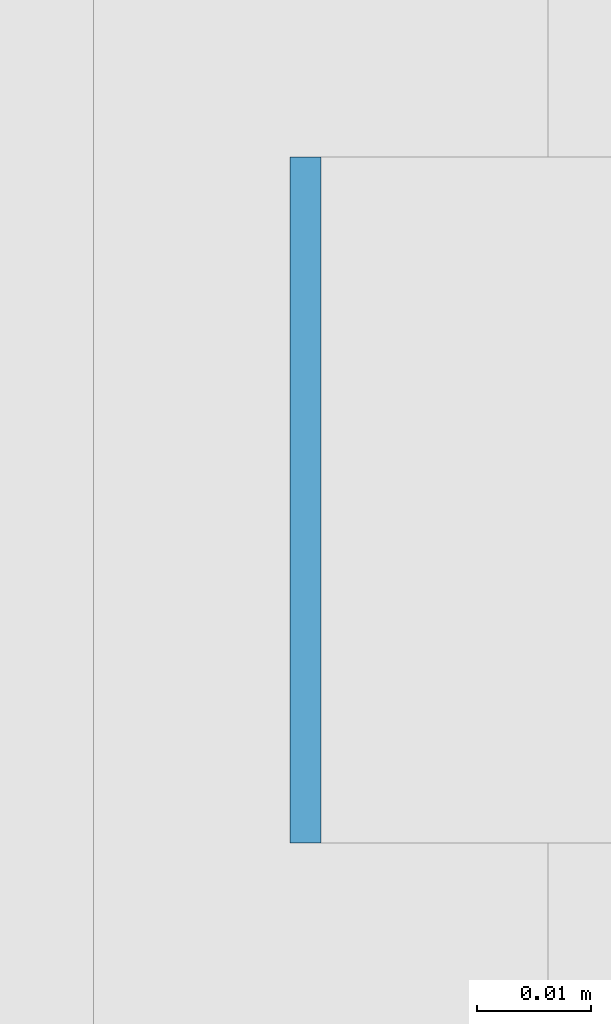
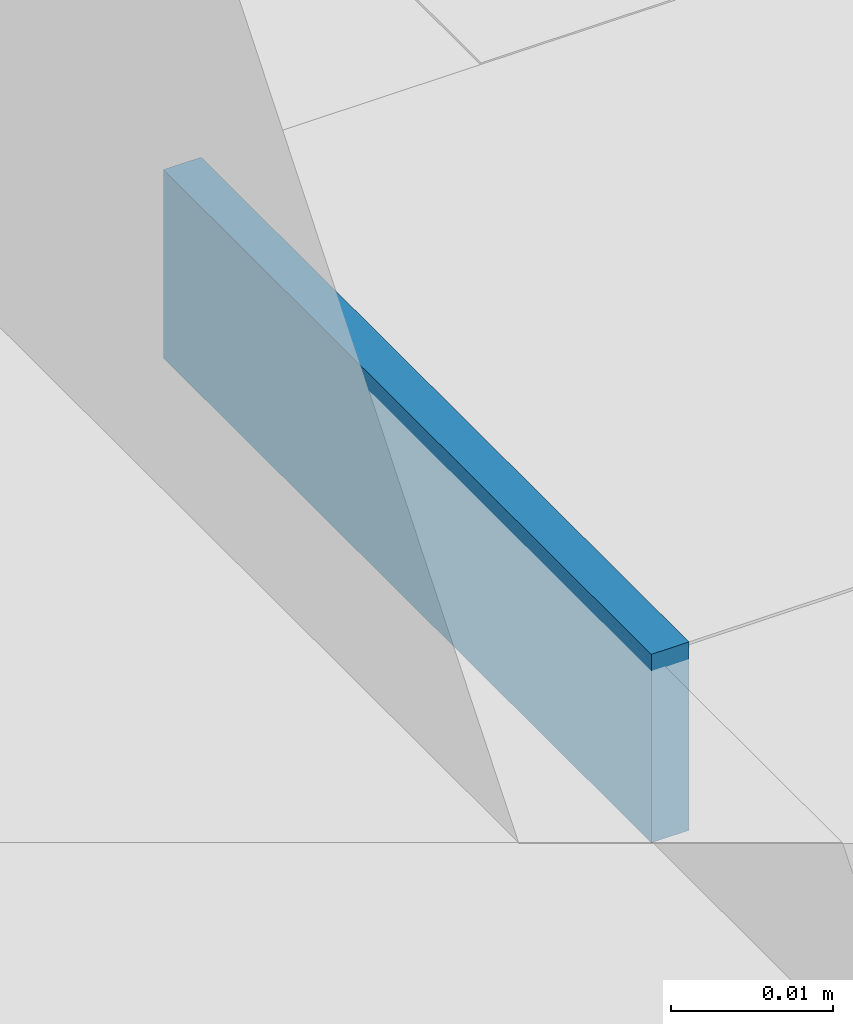
# One storey, part 485 of 646: 1 discrete accessory.
"""IFC4 building model written with IfcOpenShell, lengths in metres."""

from ifc_helpers import new_model, si_unit, direction, frame, origin, origin_2d, place, context, subcontext, project, spatial, rectangle, extrude, material, type_object, element, save


model = new_model("IFC4")

# Units and contexts
model_context = context("Model", 3, precision=1e-05, world=origin(), true_north=direction((0.0, 1.0)))
body_context = subcontext(model_context, "Body", "Model", "MODEL_VIEW")
ifc_project = project(units=[si_unit("LENGTHUNIT", "METRE"), si_unit("AREAUNIT", "SQUARE_METRE"), si_unit("VOLUMEUNIT", "CUBIC_METRE"), si_unit("PLANEANGLEUNIT", "RADIAN"), si_unit("MASSUNIT", "GRAM", prefix="KILO")], contexts=[model_context])

# Site, building, storey
site_placement = place(None, origin())
site = spatial("IfcSite", under=ifc_project, at=site_placement, CompositionType="ELEMENT")
building_placement = place(site_placement, origin())
building = spatial("IfcBuilding", under=site, at=building_placement, Name="Silverbay Arena", CompositionType="ELEMENT")
storey_placement = place(building_placement, frame((0.0, 0.0, 33.5)))
storey = spatial("IfcBuildingStorey", under=building, at=storey_placement, Name="L05", CompositionType="ELEMENT", Elevation=33.5)

# Discrete accessory
ifc_material = material(Name="Steel S355", Category="steel")
discrete_accessory_type = type_object("IfcDiscreteAccessoryType", Name="Steel bracket plate", PredefinedType="BRACKET", material=ifc_material)
discrete_accessory_placement = place(storey_placement, frame((207.128662109375, 59.142822265625, 12.98583984375), z_axis=(0.0, 0.0, 1.0), x_axis=(1.0, 0.0, 0.0)))
element("IfcDiscreteAccessory", 1, at=discrete_accessory_placement, inside=storey, type_object=discrete_accessory_type, Name="Curtain wall packing plate", PredefinedType="BRACKET", context=body_context, shape_type="SweptSolid", body=[
    extrude(rectangle(XDim=0.002685546875, YDim=0.06005859375, at=origin_2d()), origin(), (0.0, 0.0, 1.0), 0.01416015625),
])

save(model, "model.ifc")
